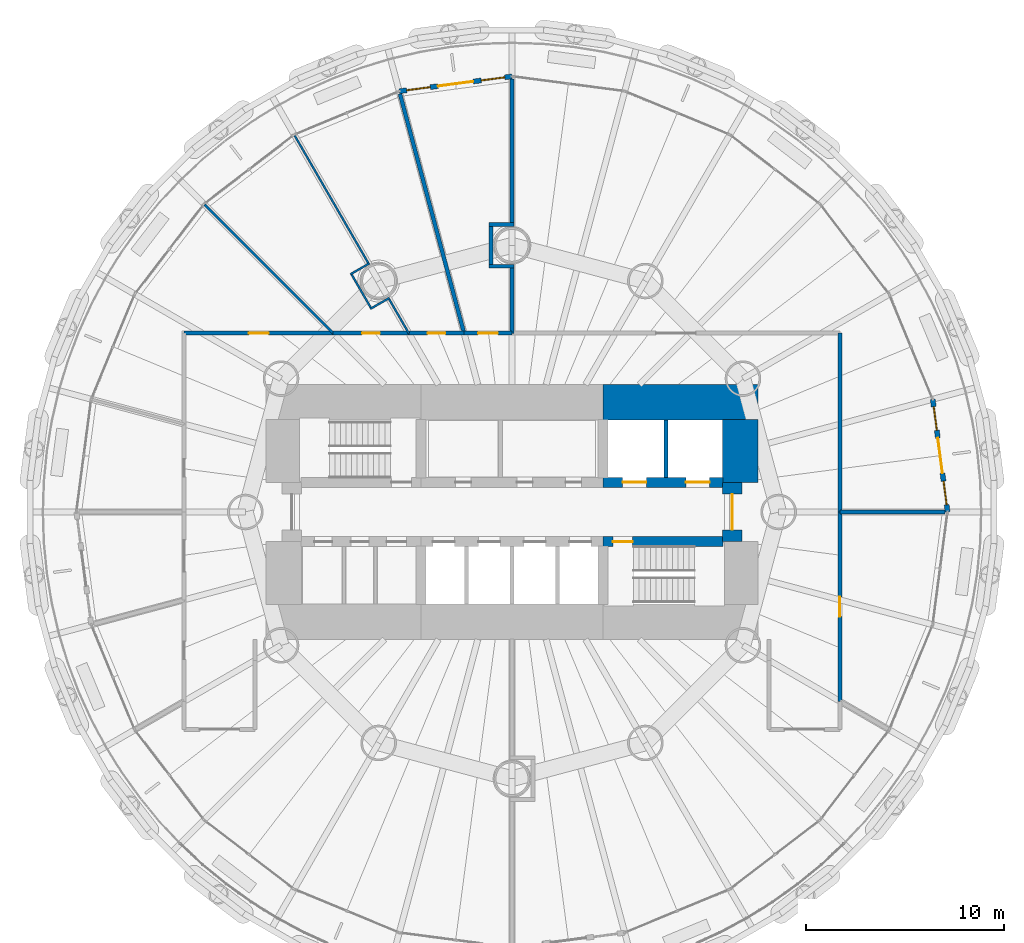
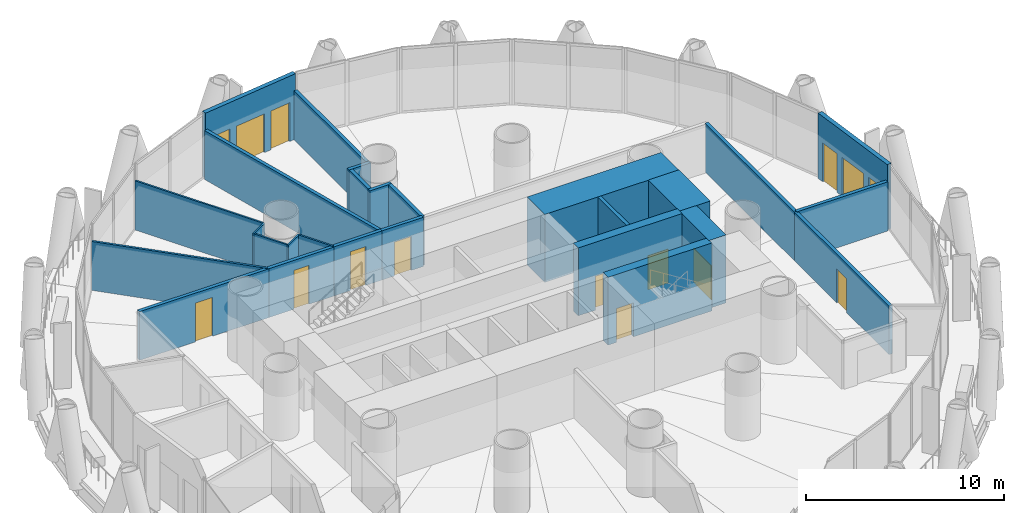
# One storey, part 11 of 16: 27 walls, 11 doors, 4 windows, 15 openings.
"""IFC4 building model written with IfcOpenShell, lengths in metres."""

from ifc_helpers import new_model, si_unit, direction, frame, frame_2d, origin, place, context, subcontext, project, spatial, rectangle, extrude, material, layer, layer_set, type_object, element, fill, save


model = new_model("IFC4")

# Units and contexts
model_context = context("Model", 3, precision=1e-05, world=origin(), true_north=direction((0.0, 1.0)))
body_context = subcontext(model_context, "Body", "Model", "MODEL_VIEW")
ifc_project = project(units=[si_unit("LENGTHUNIT", "METRE"), si_unit("AREAUNIT", "SQUARE_METRE"), si_unit("VOLUMEUNIT", "CUBIC_METRE"), si_unit("PLANEANGLEUNIT", "RADIAN"), si_unit("MASSUNIT", "GRAM", prefix="KILO")], contexts=[model_context])

# Site, building, storey
site_placement = place(None, origin())
site = spatial("IfcSite", under=ifc_project, at=site_placement, CompositionType="ELEMENT")
building_placement = place(site_placement, origin())
building = spatial("IfcBuilding", under=site, at=building_placement, Name="Qaws Media Tower", CompositionType="ELEMENT")
storey_placement = place(building_placement, frame((0.0, 0.0, 181.39990234375)))
storey = spatial("IfcBuildingStorey", under=building, at=storey_placement, Name="L41", CompositionType="ELEMENT", Elevation=181.39990234375)

# Wall, openings, door, windows
ifc_material_1 = material(Name="Precast concrete, exposed finish", Category="concrete")
ifc_layer_1 = layer(ifc_material_1, 0.25)
ifc_layer_set_1 = layer_set([ifc_layer_1], Name="Balcony door wall 250")
wall_type_1 = type_object("IfcWallType", Name="Balcony door wall 250", PredefinedType="SOLIDWALL", material=ifc_layer_set_1)
wall_1_placement = place(storey_placement, frame((82.050048828125, 50.0, 0.0), z_axis=(0.0, 0.0, 1.0), x_axis=(-0.130546671118, 0.991442165061, 0.0)))
wall_1 = element("IfcWall", 1, at=wall_1_placement, inside=storey, type_object=wall_type_1, Name="W128 EW1 balcony door wall L41-01", PredefinedType="SOLIDWALL", context=body_context, shape_type="SweptSolid", body=[
    extrude(rectangle(XDim=5.75634765625, YDim=0.25, at=frame_2d((2.878173828125, 0.0))), origin(), (0.0, 0.0, 1.0), 4.0400390625),
])
opening_1_placement = place(wall_1_placement, frame((1.97802734375, 0.0, 0.0)))
opening_1 = element("IfcOpeningElement", 2, at=opening_1_placement, cuts=wall_1, Name="Opening D7", PredefinedType="OPENING", context=body_context, shape_type="SweptSolid", body=[
    extrude(rectangle(XDim=1.800048828125, YDim=2.39990234375, at=frame_2d((0.89990234375, 1.199951171875))), frame((0.0, 0.135009765625, 0.0), z_axis=(0.0, -1.0, 0.0), x_axis=(1.0, 0.0, 0.0)), (0.0, 0.0, 1.0), 0.27001953125),
])
opening_2_placement = place(wall_1_placement, frame((0.378173828125, 0.0, 0.0)))
opening_2 = element("IfcOpeningElement", 3, at=opening_2_placement, cuts=wall_1, Name="Opening W1", PredefinedType="OPENING", context=body_context, shape_type="SweptSolid", body=[
    extrude(rectangle(XDim=1.199951171875, YDim=2.39990234375, at=frame_2d((0.60009765625, 1.199951171875))), frame((0.0, 0.135009765625, 0.0), z_axis=(0.0, -1.0, 0.0), x_axis=(1.0, 0.0, 0.0)), (0.0, 0.0, 1.0), 0.27001953125),
])
opening_3_placement = place(wall_1_placement, frame((4.17822265625, 0.0, 0.0)))
opening_3 = element("IfcOpeningElement", 4, at=opening_3_placement, cuts=wall_1, Name="Opening W1", PredefinedType="OPENING", context=body_context, shape_type="SweptSolid", body=[
    extrude(rectangle(XDim=1.199951171875, YDim=2.39990234375, at=frame_2d((0.60009765625, 1.199951171875))), frame((0.0, 0.135009765625, 0.0), z_axis=(0.0, -1.0, 0.0), x_axis=(1.0, 0.0, 0.0)), (0.0, 0.0, 1.0), 0.27001953125),
])
ifc_material_2 = material(Name="Aluminium and clear glass", Category="aluminium")
door_type_1 = type_object("IfcDoorType", Name="Balcony door pair 1800", OperationType="DOUBLE_DOOR_SLIDING", PredefinedType="DOOR", material=ifc_material_2)
door_1_placement = place(opening_1_placement, origin())
door_1 = element("IfcDoor", 5, at=door_1_placement, inside=storey, type_object=door_type_1, Name="D7 balcony door L41-01 in wall W128", OperationType="DOUBLE_DOOR_SLIDING", OverallHeight=2.39990234375, OverallWidth=1.800048828125, PredefinedType="DOOR", context=body_context, shape_type="SweptSolid", body=[
    extrude(rectangle(XDim=1.800048828125, YDim=2.39990234375, at=frame_2d((0.89990234375, 1.199951171875))), frame((0.0, 0.02490234375, 0.0), z_axis=(0.0, -1.0, 0.0), x_axis=(1.0, 0.0, 0.0)), (0.0, 0.0, 1.0), 0.050048828125),
])
fill(opening_1, door_1)
ifc_material_3 = material(Name="Aluminium and clear glass", Category="aluminium")
window_type = type_object("IfcWindowType", Name="Balcony side window 1200", PartitioningType="SINGLE_PANEL", PredefinedType="WINDOW", material=ifc_material_3)
window_1_placement = place(opening_2_placement, origin())
window_1 = element("IfcWindow", 6, at=window_1_placement, inside=storey, type_object=window_type, Name="W1 balcony side light L41-01L", OverallHeight=2.39990234375, OverallWidth=1.199951171875, PartitioningType="SINGLE_PANEL", PredefinedType="WINDOW", context=body_context, shape_type="SweptSolid", body=[
    extrude(rectangle(XDim=1.199951171875, YDim=2.39990234375, at=frame_2d((0.60009765625, 1.199951171875))), frame((0.0, 0.030029296875, 0.0), z_axis=(0.0, -1.0, 0.0), x_axis=(1.0, 0.0, 0.0)), (0.0, 0.0, 1.0), 0.06005859375),
])
fill(opening_2, window_1)
window_2_placement = place(opening_3_placement, origin())
window_2 = element("IfcWindow", 7, at=window_2_placement, inside=storey, type_object=window_type, Name="W1 balcony side light L41-01R", OverallHeight=2.39990234375, OverallWidth=1.199951171875, PartitioningType="SINGLE_PANEL", PredefinedType="WINDOW", context=body_context, shape_type="SweptSolid", body=[
    extrude(rectangle(XDim=1.199951171875, YDim=2.39990234375, at=frame_2d((0.60009765625, 1.199951171875))), frame((0.0, 0.030029296875, 0.0), z_axis=(0.0, -1.0, 0.0), x_axis=(1.0, 0.0, 0.0)), (0.0, 0.0, 1.0), 0.06005859375),
])
fill(opening_3, window_2)

wall_2_placement = place(storey_placement, frame((60.0, 72.050048828125, 0.0), z_axis=(0.0, 0.0, 1.0), x_axis=(-0.991442165061, -0.130546671118, 0.0)))
wall_2 = element("IfcWall", 8, at=wall_2_placement, inside=storey, type_object=wall_type_1, Name="W222 EW1 balcony door wall L41-07", PredefinedType="SOLIDWALL", context=body_context, shape_type="SweptSolid", body=[
    extrude(rectangle(XDim=5.75634765625, YDim=0.25, at=frame_2d((2.878173828125, 0.0))), origin(), (0.0, 0.0, 1.0), 4.0400390625),
])
opening_4_placement = place(wall_2_placement, frame((1.97802734375, 0.0, 0.0)))
opening_4 = element("IfcOpeningElement", 9, at=opening_4_placement, cuts=wall_2, Name="Opening D7", PredefinedType="OPENING", context=body_context, shape_type="SweptSolid", body=[
    extrude(rectangle(XDim=1.800048828125, YDim=2.39990234375, at=frame_2d((0.89990234375, 1.199951171875))), frame((0.0, 0.135009765625, 0.0), z_axis=(0.0, -1.0, 0.0), x_axis=(1.0, 0.0, 0.0)), (0.0, 0.0, 1.0), 0.27001953125),
])
opening_5_placement = place(wall_2_placement, frame((0.378173828125, 0.0, 0.0)))
opening_5 = element("IfcOpeningElement", 10, at=opening_5_placement, cuts=wall_2, Name="Opening W1", PredefinedType="OPENING", context=body_context, shape_type="SweptSolid", body=[
    extrude(rectangle(XDim=1.199951171875, YDim=2.39990234375, at=frame_2d((0.60009765625, 1.199951171875))), frame((0.0, 0.135009765625, 0.0), z_axis=(0.0, -1.0, 0.0), x_axis=(1.0, 0.0, 0.0)), (0.0, 0.0, 1.0), 0.27001953125),
])
opening_6_placement = place(wall_2_placement, frame((4.17822265625, 0.0, 0.0)))
opening_6 = element("IfcOpeningElement", 11, at=opening_6_placement, cuts=wall_2, Name="Opening W1", PredefinedType="OPENING", context=body_context, shape_type="SweptSolid", body=[
    extrude(rectangle(XDim=1.199951171875, YDim=2.39990234375, at=frame_2d((0.60009765625, 1.199951171875))), frame((0.0, 0.135009765625, 0.0), z_axis=(0.0, -1.0, 0.0), x_axis=(1.0, 0.0, 0.0)), (0.0, 0.0, 1.0), 0.27001953125),
])
door_2_placement = place(opening_4_placement, origin())
door_2 = element("IfcDoor", 12, at=door_2_placement, inside=storey, type_object=door_type_1, Name="D7 balcony door L41-07 in wall W222", OperationType="DOUBLE_DOOR_SLIDING", OverallHeight=2.39990234375, OverallWidth=1.800048828125, PredefinedType="DOOR", context=body_context, shape_type="SweptSolid", body=[
    extrude(rectangle(XDim=1.800048828125, YDim=2.39990234375, at=frame_2d((0.89990234375, 1.199951171875))), frame((0.0, 0.02490234375, 0.0), z_axis=(0.0, -1.0, 0.0), x_axis=(1.0, 0.0, 0.0)), (0.0, 0.0, 1.0), 0.050048828125),
])
fill(opening_4, door_2)
window_3_placement = place(opening_5_placement, origin())
window_3 = element("IfcWindow", 13, at=window_3_placement, inside=storey, type_object=window_type, Name="W1 balcony side light L41-07L", OverallHeight=2.39990234375, OverallWidth=1.199951171875, PartitioningType="SINGLE_PANEL", PredefinedType="WINDOW", context=body_context, shape_type="SweptSolid", body=[
    extrude(rectangle(XDim=1.199951171875, YDim=2.39990234375, at=frame_2d((0.60009765625, 1.199951171875))), frame((0.0, 0.030029296875, 0.0), z_axis=(0.0, -1.0, 0.0), x_axis=(1.0, 0.0, 0.0)), (0.0, 0.0, 1.0), 0.06005859375),
])
fill(opening_5, window_3)
window_4_placement = place(opening_6_placement, origin())
window_4 = element("IfcWindow", 14, at=window_4_placement, inside=storey, type_object=window_type, Name="W1 balcony side light L41-07R", OverallHeight=2.39990234375, OverallWidth=1.199951171875, PartitioningType="SINGLE_PANEL", PredefinedType="WINDOW", context=body_context, shape_type="SweptSolid", body=[
    extrude(rectangle(XDim=1.199951171875, YDim=2.39990234375, at=frame_2d((0.60009765625, 1.199951171875))), frame((0.0, 0.030029296875, 0.0), z_axis=(0.0, -1.0, 0.0), x_axis=(1.0, 0.0, 0.0)), (0.0, 0.0, 1.0), 0.06005859375),
])
fill(opening_6, window_4)

# Wall, openings, doors
ifc_material_4 = material(Name="Concrete C60/75", Category="concrete")
ifc_layer_2 = layer(ifc_material_4, 0.5)
ifc_layer_set_2 = layer_set([ifc_layer_2], Name="Core inner wall 500")
wall_type_2 = type_object("IfcWallType", Name="Core inner wall 500", PredefinedType="SHEAR", material=ifc_layer_set_2)
wall_3_placement = place(storey_placement, frame((64.60009765625, 51.5, 0.0), z_axis=(0.0, 0.0, 1.0), x_axis=(1.0, 0.0, 0.0)))
wall_3 = element("IfcWall", 15, at=wall_3_placement, inside=storey, type_object=wall_type_2, Name="W344 SW12 core wall SPNE L41", PredefinedType="SHEAR", context=body_context, shape_type="SweptSolid", body=[
    extrude(rectangle(XDim=6.06982421875, YDim=0.5, at=frame_2d((3.034912109375, 0.0))), origin(), (0.0, 0.0, 1.0), 4.2001953125),
])
opening_7_placement = place(wall_3_placement, frame((1.0, 0.0, 0.0)))
opening_7 = element("IfcOpeningElement", 16, at=opening_7_placement, cuts=wall_3, Name="Opening LD2", PredefinedType="OPENING", context=body_context, shape_type="SweptSolid", body=[
    extrude(rectangle(XDim=1.199951171875, YDim=2.10009765625, at=frame_2d((0.60009765625, 1.050048828125))), frame((0.0, 0.260009765625, 0.0), z_axis=(0.0, -1.0, 0.0), x_axis=(1.0, 0.0, 0.0)), (0.0, 0.0, 1.0), 0.52001953125),
])
opening_8_placement = place(wall_3_placement, frame((4.199951171875, 0.0, 0.0)))
opening_8 = element("IfcOpeningElement", 17, at=opening_8_placement, cuts=wall_3, Name="Opening LD2", PredefinedType="OPENING", context=body_context, shape_type="SweptSolid", body=[
    extrude(rectangle(XDim=1.199951171875, YDim=2.10009765625, at=frame_2d((0.60009765625, 1.050048828125))), frame((0.0, 0.260009765625, 0.0), z_axis=(0.0, -1.0, 0.0), x_axis=(1.0, 0.0, 0.0)), (0.0, 0.0, 1.0), 0.52001953125),
])
ifc_material_5 = material(Name="Steel, fire rated", Category="steel")
door_type_2 = type_object("IfcDoorType", Name="Lift landing door 1200", OperationType="SLIDING_TO_LEFT", PredefinedType="DOOR", material=ifc_material_5)
door_3_placement = place(opening_7_placement, origin())
door_3 = element("IfcDoor", 18, at=door_3_placement, inside=storey, type_object=door_type_2, Name="FL1 landing door L41 in wall W344", OperationType="SLIDING_TO_LEFT", OverallHeight=2.10009765625, OverallWidth=1.199951171875, PredefinedType="DOOR", context=body_context, shape_type="SweptSolid", body=[
    extrude(rectangle(XDim=1.199951171875, YDim=2.10009765625, at=frame_2d((0.60009765625, 1.050048828125))), frame((0.0, 0.02490234375, 0.0), z_axis=(0.0, -1.0, 0.0), x_axis=(1.0, 0.0, 0.0)), (0.0, 0.0, 1.0), 0.050048828125),
])
fill(opening_7, door_3)
door_4_placement = place(opening_8_placement, origin())
door_4 = element("IfcDoor", 19, at=door_4_placement, inside=storey, type_object=door_type_2, Name="FL2 landing door L41 in wall W344", OperationType="SLIDING_TO_LEFT", OverallHeight=2.10009765625, OverallWidth=1.199951171875, PredefinedType="DOOR", context=body_context, shape_type="SweptSolid", body=[
    extrude(rectangle(XDim=1.199951171875, YDim=2.10009765625, at=frame_2d((0.60009765625, 1.050048828125))), frame((0.0, 0.02490234375, 0.0), z_axis=(0.0, -1.0, 0.0), x_axis=(1.0, 0.0, 0.0)), (0.0, 0.0, 1.0), 0.050048828125),
])
fill(opening_8, door_4)

# Wall, opening, door
wall_4_placement = place(storey_placement, frame((64.60009765625, 48.5, 0.0), z_axis=(0.0, 0.0, 1.0), x_axis=(1.0, 0.0, 0.0)))
wall_4 = element("IfcWall", 20, at=wall_4_placement, inside=storey, type_object=wall_type_2, Name="W343 SW12 core wall SPSE L41", PredefinedType="SHEAR", context=body_context, shape_type="SweptSolid", body=[
    extrude(rectangle(XDim=6.06982421875, YDim=0.5, at=frame_2d((3.034912109375, 0.0))), origin(), (0.0, 0.0, 1.0), 4.2001953125),
])
opening_9_placement = place(wall_4_placement, frame((0.5, 0.0, 0.0)))
opening_9 = element("IfcOpeningElement", 21, at=opening_9_placement, cuts=wall_4, Name="Opening D1", PredefinedType="OPENING", context=body_context, shape_type="SweptSolid", body=[
    extrude(rectangle(XDim=1.0, YDim=2.10009765625, at=frame_2d((0.5, 1.050048828125))), frame((0.0, 0.260009765625, 0.0), z_axis=(0.0, -1.0, 0.0), x_axis=(1.0, 0.0, 0.0)), (0.0, 0.0, 1.0), 0.52001953125),
])
ifc_material_6 = material(Name="Steel, fire rated", Category="steel")
door_type_3 = type_object("IfcDoorType", Name="Stair door 1000 FD120", OperationType="SINGLE_SWING_LEFT", PredefinedType="DOOR", material=ifc_material_6)
door_5_placement = place(opening_9_placement, origin())
door_5 = element("IfcDoor", 22, at=door_5_placement, inside=storey, type_object=door_type_3, Name="D1 stair S2 door L41 in wall W343", OperationType="SINGLE_SWING_LEFT", OverallHeight=2.10009765625, OverallWidth=1.0, PredefinedType="DOOR", context=body_context, shape_type="SweptSolid", body=[
    extrude(rectangle(XDim=1.0, YDim=2.10009765625, at=frame_2d((0.5, 1.050048828125))), frame((0.0, 0.02490234375, 0.0), z_axis=(0.0, -1.0, 0.0), x_axis=(1.0, 0.0, 0.0)), (0.0, 0.0, 1.0), 0.050048828125),
])
fill(opening_9, door_5)

ifc_material_7 = material(Name="Concrete C60/75", Category="concrete")
ifc_layer_3 = layer(ifc_material_7, 1.0)
ifc_layer_set_3 = layer_set([ifc_layer_3], Name="Core wall 1000")
wall_type_3 = type_object("IfcWallType", Name="Core wall 1000", PredefinedType="SHEAR", material=ifc_layer_set_3)
wall_5_placement = place(storey_placement, frame((71.14990234375, 48.5, 0.0), z_axis=(0.0, 0.0, 1.0), x_axis=(0.0, 1.0, 0.0)))
wall_5 = element("IfcWall", 23, at=wall_5_placement, inside=storey, type_object=wall_type_3, Name="W367 SW8 core wall E L41", PredefinedType="SHEAR", context=body_context, shape_type="SweptSolid", body=[
    extrude(rectangle(XDim=3.0, YDim=1.0, at=frame_2d((1.5, 0.0))), origin(), (0.0, 0.0, 1.0), 4.2001953125),
])
opening_10_placement = place(wall_5_placement, frame((0.60009765625, 0.0, 0.0)))
opening_10 = element("IfcOpeningElement", 24, at=opening_10_placement, cuts=wall_5, Name="Opening D2", PredefinedType="OPENING", context=body_context, shape_type="SweptSolid", body=[
    extrude(rectangle(XDim=1.800048828125, YDim=2.10009765625, at=frame_2d((0.89990234375, 1.050048828125))), frame((0.0, 0.510009765625, 0.0), z_axis=(0.0, -1.0, 0.0), x_axis=(1.0, 0.0, 0.0)), (0.0, 0.0, 1.0), 1.02001953125),
])
ifc_material_8 = material(Name="Steel and glass, fire rated", Category="steel")
door_type_4 = type_object("IfcDoorType", Name="Lobby door pair 1800 FD60", OperationType="DOUBLE_DOOR_DOUBLE_SWING", PredefinedType="DOOR", material=ifc_material_8)
door_6_placement = place(opening_10_placement, origin())
door_6 = element("IfcDoor", 25, at=door_6_placement, inside=storey, type_object=door_type_4, Name="D2 core lobby door E L41 in wall W367", OperationType="DOUBLE_DOOR_DOUBLE_SWING", OverallHeight=2.10009765625, OverallWidth=1.800048828125, PredefinedType="DOOR", context=body_context, shape_type="SweptSolid", body=[
    extrude(rectangle(XDim=1.800048828125, YDim=2.10009765625, at=frame_2d((0.89990234375, 1.050048828125))), frame((0.0, 0.02490234375, 0.0), z_axis=(0.0, -1.0, 0.0), x_axis=(1.0, 0.0, 0.0)), (0.0, 0.0, 1.0), 0.050048828125),
])
fill(opening_10, door_6)

# Walls
ifc_material_9 = material(Name="Concrete C60/75", Category="concrete")
ifc_layer_4 = layer(ifc_material_9, 1.800048828125)
ifc_layer_set_4 = layer_set([ifc_layer_4], Name="Core wall 1800")
wall_type_4 = type_object("IfcWallType", Name="Core wall 1800", PredefinedType="SHEAR", material=ifc_layer_set_4)
wall_6_placement = place(storey_placement, frame((64.60009765625, 55.550048828125, 0.0), z_axis=(0.0, 0.0, 1.0), x_axis=(1.0, 0.0, 0.0)))
element("IfcWall", 26, at=wall_6_placement, inside=storey, type_object=wall_type_4, Name="W423 SW11 core wall NE L41", PredefinedType="SHEAR", context=body_context, shape_type="SweptSolid", body=[
    extrude(rectangle(XDim=7.849853515625, YDim=1.800048828125, at=frame_2d((3.9248046875, 0.0))), origin(), (0.0, 0.0, 1.0), 4.2001953125),
])
wall_7_placement = place(storey_placement, frame((71.550048828125, 51.5, 0.0), z_axis=(0.0, 0.0, 1.0), x_axis=(0.0, 1.0, 0.0)))
element("IfcWall", 27, at=wall_7_placement, inside=storey, type_object=wall_type_4, Name="W425 SW11 core wall EN L41", PredefinedType="SHEAR", context=body_context, shape_type="SweptSolid", body=[
    extrude(rectangle(XDim=3.169921875, YDim=1.800048828125, at=frame_2d((1.5849609375, 0.0))), origin(), (0.0, 0.0, 1.0), 4.2001953125),
])
ifc_material_10 = material(Name="Two layers gypsum board each side on 75 studs, insulated", Category="gypsum")
ifc_layer_5 = layer(ifc_material_10, 0.125)
ifc_layer_set_5 = layer_set([ifc_layer_5], Name="Meeting room partition 125 Rw 48")
wall_type_5 = type_object("IfcWallType", Name="Meeting room partition 125 Rw 48", PredefinedType="PARTITIONING", material=ifc_layer_set_5)
wall_8_placement = place(storey_placement, frame((50.948974609375, 59.051025390625, 0.0), z_axis=(0.0, 0.0, 1.0), x_axis=(-0.707106781187, 0.707106781187, 0.0)))
element("IfcWall", 28, at=wall_8_placement, inside=storey, type_object=wall_type_5, Name="W589 IW5 partition L41", PredefinedType="PARTITIONING", context=body_context, shape_type="SweptSolid", body=[
    extrude(rectangle(XDim=9.2099609375, YDim=0.125, at=frame_2d((4.60498046875, 0.0))), origin(), (0.0, 0.0, 1.0), 3.02001953125),
])
ifc_material_11 = material(Name="Gypsum board on 70 metal studs, single layer each side", Category="gypsum")
ifc_layer_6 = layer(ifc_material_11, 0.10009765625)
ifc_layer_set_6 = layer_set([ifc_layer_6], Name="Office stud partition 100")
wall_type_6 = type_object("IfcWallType", Name="Office stud partition 100", PredefinedType="PARTITIONING", material=ifc_layer_set_6)
for number, where, z_axis, x_axis, name in (
    (29, (53.79833984375, 60.841796875, 0.0), (0.0, 0.0, 1.0), (-0.866007717299, -0.500030632641, 0.0), "W691 IW4 partition return L41"),
    (30, (52.788330078125, 62.591064453125, 0.0), (0.0, 0.0, 1.0), (-0.866007717299, -0.500030632641, 0.0), "W689 IW4 partition return L41"),
):
    element("IfcWall", number, at=place(storey_placement, frame(where, z_axis=z_axis, x_axis=x_axis)), inside=storey, type_object=wall_type_6, Name=name, PredefinedType="PARTITIONING", context=body_context, shape_type="SweptSolid", body=[
        extrude(rectangle(XDim=1.1201171875, YDim=0.10009765625, at=frame_2d((0.56005859375, 0.0))), origin(), (0.0, 0.0, 1.0), 3.02001953125),
    ])
wall_9_placement = place(storey_placement, frame((52.8466796875, 60.35009765625, 0.0), z_axis=(0.0, 0.0, 1.0), x_axis=(-0.500023335103, 0.866011930837, 0.0)))
element("IfcWall", 31, at=wall_9_placement, inside=storey, type_object=wall_type_6, Name="W690 IW4 partition return L41", PredefinedType="PARTITIONING", context=body_context, shape_type="SweptSolid", body=[
    extrude(rectangle(XDim=1.919921875, YDim=0.10009765625, at=frame_2d((0.9599609375, 0.0))), origin(), (0.0, 0.0, 1.0), 3.02001953125),
])
wall_10_placement = place(storey_placement, frame((54.780029296875, 59.041259765625, 0.0), z_axis=(0.0, 0.0, 1.0), x_axis=(-0.499972520799, 0.866041268327, 0.0)))
element("IfcWall", 32, at=wall_10_placement, inside=storey, type_object=wall_type_6, Name="W692 IW4 partition L41", PredefinedType="PARTITIONING", context=body_context, shape_type="SweptSolid", body=[
    extrude(rectangle(XDim=2.0, YDim=0.10009765625, at=frame_2d((1.0, 0.0))), origin(), (0.0, 0.0, 1.0), 3.0400390625),
])
wall_11_placement = place(storey_placement, frame((52.719970703125, 62.609375, 0.0), z_axis=(0.0, 0.0, 1.0), x_axis=(-0.499984378957, 0.86603442241, 0.0)))
element("IfcWall", 33, at=wall_11_placement, inside=storey, type_object=wall_type_6, Name="W688 IW4 partition L41", PredefinedType="PARTITIONING", context=body_context, shape_type="SweptSolid", body=[
    extrude(rectangle(XDim=7.449951171875, YDim=0.10009765625, at=frame_2d((3.72509765625, 0.0))), origin(), (0.0, 0.0, 1.0), 3.0400390625),
])

# Wall, opening, door
ifc_material_12 = material(Name="Gypsum board on galvanised metal studs, acoustic double stud, deflection head", Category="gypsum")
ifc_layer_7 = layer(ifc_material_12, 0.199951171875)
ifc_layer_set_7 = layer_set([ifc_layer_7], Name="Room partition 200")
wall_type_7 = type_object("IfcWallType", Name="Room partition 200", PredefinedType="PARTITIONING", material=ifc_layer_set_7)
wall_12_placement = place(storey_placement, frame((43.39990234375, 59.050048828125, 0.0), z_axis=(0.0, 0.0, 1.0), x_axis=(1.0, 0.0, 0.0)))
wall_12 = element("IfcWall", 34, at=wall_12_placement, inside=storey, type_object=wall_type_7, Name="W1390 IW3 partition L41", PredefinedType="PARTITIONING", context=body_context, shape_type="SweptSolid", body=[
    extrude(rectangle(XDim=7.550048828125, YDim=0.199951171875, at=frame_2d((3.77490234375, 0.0))), origin(), (0.0, 0.0, 1.0), 3.01220703125),
])
opening_11_placement = place(wall_12_placement, frame((3.27490234375, 0.0, 0.0)))
opening_11 = element("IfcOpeningElement", 35, at=opening_11_placement, cuts=wall_12, Name="Opening D13", PredefinedType="OPENING", context=body_context, shape_type="SweptSolid", body=[
    extrude(rectangle(XDim=1.0, YDim=2.39990234375, at=frame_2d((0.5, 1.199951171875))), frame((0.0, 0.10986328125, 0.0), z_axis=(0.0, -1.0, 0.0), x_axis=(1.0, 0.0, 0.0)), (0.0, 0.0, 1.0), 0.219970703125),
])
ifc_material_13 = material(Name="Frameless toughened glass, acoustic seals", Category="glass")
door_type_5 = type_object("IfcDoorType", Name="Glazed meeting room door 1000x2400", OperationType="SINGLE_SWING_LEFT", PredefinedType="DOOR", material=ifc_material_13)
door_7_placement = place(opening_11_placement, origin())
door_7 = element("IfcDoor", 36, at=door_7_placement, inside=storey, type_object=door_type_5, Name="D13 Meeting room door L41 in wall W1390", OperationType="SINGLE_SWING_LEFT", OverallHeight=2.39990234375, OverallWidth=1.0, PredefinedType="DOOR", context=body_context, shape_type="SweptSolid", body=[
    extrude(rectangle(XDim=1.0, YDim=2.39990234375, at=frame_2d((0.5, 1.199951171875))), frame((0.0, 0.02490234375, 0.0), z_axis=(0.0, -1.0, 0.0), x_axis=(1.0, 0.0, 0.0)), (0.0, 0.0, 1.0), 0.050048828125),
])
fill(opening_11, door_7)

wall_13_placement = place(storey_placement, frame((50.949951171875, 59.050048828125, 0.0), z_axis=(0.0, 0.0, 1.0), x_axis=(1.0, 0.0, 0.0)))
wall_13 = element("IfcWall", 37, at=wall_13_placement, inside=storey, type_object=wall_type_7, Name="W1281 IW3 partition L41", PredefinedType="PARTITIONING", context=body_context, shape_type="SweptSolid", body=[
    extrude(rectangle(XDim=3.824951171875, YDim=0.199951171875, at=frame_2d((1.91259765625, 0.0))), origin(), (0.0, 0.0, 1.0), 3.02001953125),
])
opening_12_placement = place(wall_13_placement, frame((1.46240234375, 0.0, 0.0)))
opening_12 = element("IfcOpeningElement", 38, at=opening_12_placement, cuts=wall_13, Name="Opening D12", PredefinedType="OPENING", context=body_context, shape_type="SweptSolid", body=[
    extrude(rectangle(XDim=0.89990234375, YDim=2.39990234375, at=frame_2d((0.449951171875, 1.199951171875))), frame((0.0, 0.10986328125, 0.0), z_axis=(0.0, -1.0, 0.0), x_axis=(1.0, 0.0, 0.0)), (0.0, 0.0, 1.0), 0.219970703125),
])
ifc_material_14 = material(Name="Timber veneered, full height", Category="wood")
door_type_6 = type_object("IfcDoorType", Name="Office door 900x2400", OperationType="SINGLE_SWING_LEFT", PredefinedType="DOOR", material=ifc_material_14)
door_8_placement = place(opening_12_placement, origin())
door_8 = element("IfcDoor", 39, at=door_8_placement, inside=storey, type_object=door_type_6, Name="D12 Office door L41 in wall W1281", OperationType="SINGLE_SWING_LEFT", OverallHeight=2.39990234375, OverallWidth=0.89990234375, PredefinedType="DOOR", context=body_context, shape_type="SweptSolid", body=[
    extrude(rectangle(XDim=0.89990234375, YDim=2.39990234375, at=frame_2d((0.449951171875, 1.199951171875))), frame((0.0, 0.02490234375, 0.0), z_axis=(0.0, -1.0, 0.0), x_axis=(1.0, 0.0, 0.0)), (0.0, 0.0, 1.0), 0.050048828125),
])
fill(opening_12, door_8)

wall_14_placement = place(storey_placement, frame((54.77490234375, 59.050048828125, 0.0), z_axis=(0.0, 0.0, 1.0), x_axis=(1.0, 0.0, 0.0)))
wall_14 = element("IfcWall", 40, at=wall_14_placement, inside=storey, type_object=wall_type_7, Name="W1282 IW3 partition L41", PredefinedType="PARTITIONING", context=body_context, shape_type="SweptSolid", body=[
    extrude(rectangle(XDim=2.80029296875, YDim=0.199951171875, at=frame_2d((1.400146484375, 0.0))), origin(), (0.0, 0.0, 1.0), 3.0400390625),
])
opening_13_placement = place(wall_14_placement, frame((0.949951171875, 0.0, 0.0)))
opening_13 = element("IfcOpeningElement", 41, at=opening_13_placement, cuts=wall_14, Name="Opening D12", PredefinedType="OPENING", context=body_context, shape_type="SweptSolid", body=[
    extrude(rectangle(XDim=0.89990234375, YDim=2.39990234375, at=frame_2d((0.449951171875, 1.199951171875))), frame((0.0, 0.10986328125, 0.0), z_axis=(0.0, -1.0, 0.0), x_axis=(1.0, 0.0, 0.0)), (0.0, 0.0, 1.0), 0.219970703125),
])
door_9_placement = place(opening_13_placement, origin())
door_9 = element("IfcDoor", 42, at=door_9_placement, inside=storey, type_object=door_type_6, Name="D12 Office door L41 in wall W1282", OperationType="SINGLE_SWING_LEFT", OverallHeight=2.39990234375, OverallWidth=0.89990234375, PredefinedType="DOOR", context=body_context, shape_type="SweptSolid", body=[
    extrude(rectangle(XDim=0.89990234375, YDim=2.39990234375, at=frame_2d((0.449951171875, 1.199951171875))), frame((0.0, 0.02490234375, 0.0), z_axis=(0.0, -1.0, 0.0), x_axis=(1.0, 0.0, 0.0)), (0.0, 0.0, 1.0), 0.050048828125),
])
fill(opening_13, door_9)

wall_15_placement = place(storey_placement, frame((57.5751953125, 59.050048828125, 0.0), z_axis=(0.0, 0.0, 1.0), x_axis=(1.0, 0.0, 0.0)))
wall_15 = element("IfcWall", 43, at=wall_15_placement, inside=storey, type_object=wall_type_7, Name="W1283 IW3 partition L41", PredefinedType="PARTITIONING", context=body_context, shape_type="SweptSolid", body=[
    extrude(rectangle(XDim=2.4248046875, YDim=0.199951171875, at=frame_2d((1.21240234375, 0.0))), origin(), (0.0, 0.0, 1.0), 3.0400390625),
])
opening_14_placement = place(wall_15_placement, frame((0.71240234375, 0.0, 0.0)))
opening_14 = element("IfcOpeningElement", 44, at=opening_14_placement, cuts=wall_15, Name="Opening D5", PredefinedType="OPENING", context=body_context, shape_type="SweptSolid", body=[
    extrude(rectangle(XDim=1.0, YDim=2.10009765625, at=frame_2d((0.5, 1.050048828125))), frame((0.0, 0.10986328125, 0.0), z_axis=(0.0, -1.0, 0.0), x_axis=(1.0, 0.0, 0.0)), (0.0, 0.0, 1.0), 0.219970703125),
])
ifc_material_15 = material(Name="Timber veneered, acoustic seal", Category="wood")
door_type_7 = type_object("IfcDoorType", Name="Room door 1000", OperationType="SINGLE_SWING_LEFT", PredefinedType="DOOR", material=ifc_material_15)
door_10_placement = place(opening_14_placement, origin())
door_10 = element("IfcDoor", 45, at=door_10_placement, inside=storey, type_object=door_type_7, Name="D5 Strategy reception door L41 in wall W1283", OperationType="SINGLE_SWING_LEFT", OverallHeight=2.10009765625, OverallWidth=1.0, PredefinedType="DOOR", context=body_context, shape_type="SweptSolid", body=[
    extrude(rectangle(XDim=1.0, YDim=2.10009765625, at=frame_2d((0.5, 1.050048828125))), frame((0.0, 0.02490234375, 0.0), z_axis=(0.0, -1.0, 0.0), x_axis=(1.0, 0.0, 0.0)), (0.0, 0.0, 1.0), 0.050048828125),
])
fill(opening_14, door_10)

# Wall
wall_16_placement = place(storey_placement, frame((76.60009765625, 59.050048828125, 0.0), z_axis=(0.0, 0.0, 1.0), x_axis=(0.0, -1.0, 0.0)))
element("IfcWall", 46, at=wall_16_placement, inside=storey, type_object=wall_type_7, Name="W1403 IW3 partition L41", PredefinedType="PARTITIONING", context=body_context, shape_type="SweptSolid", body=[
    extrude(rectangle(XDim=9.050048828125, YDim=0.199951171875, at=frame_2d((4.52490234375, 0.0))), origin(), (0.0, 0.0, 1.0), 3.01220703125),
])

# Wall, opening, door
wall_17_placement = place(storey_placement, frame((76.60009765625, 50.0, 0.0), z_axis=(0.0, 0.0, 1.0), x_axis=(0.0, -1.0, 0.0)))
wall_17 = element("IfcWall", 47, at=wall_17_placement, inside=storey, type_object=wall_type_7, Name="W1401 IW3 partition L41", PredefinedType="PARTITIONING", context=body_context, shape_type="SweptSolid", body=[
    extrude(rectangle(XDim=9.583984375, YDim=0.199951171875, at=frame_2d((4.7919921875, 0.0))), origin(), (0.0, 0.0, 1.0), 3.01220703125),
])
opening_15_placement = place(wall_17_placement, frame((4.2919921875, 0.0, 0.0)))
opening_15 = element("IfcOpeningElement", 48, at=opening_15_placement, cuts=wall_17, Name="Opening D5", PredefinedType="OPENING", context=body_context, shape_type="SweptSolid", body=[
    extrude(rectangle(XDim=1.0, YDim=2.10009765625, at=frame_2d((0.5, 1.050048828125))), frame((0.0, 0.10986328125, 0.0), z_axis=(0.0, -1.0, 0.0), x_axis=(1.0, 0.0, 0.0)), (0.0, 0.0, 1.0), 0.219970703125),
])
door_11_placement = place(opening_15_placement, origin())
door_11 = element("IfcDoor", 49, at=door_11_placement, inside=storey, type_object=door_type_7, Name="D5 Communications office door L41 in wall W1401", OperationType="SINGLE_SWING_LEFT", OverallHeight=2.10009765625, OverallWidth=1.0, PredefinedType="DOOR", context=body_context, shape_type="SweptSolid", body=[
    extrude(rectangle(XDim=1.0, YDim=2.10009765625, at=frame_2d((0.5, 1.050048828125))), frame((0.0, 0.02490234375, 0.0), z_axis=(0.0, -1.0, 0.0), x_axis=(1.0, 0.0, 0.0)), (0.0, 0.0, 1.0), 0.050048828125),
])
fill(opening_15, door_11)

# Walls
wall_18_placement = place(storey_placement, frame((76.60009765625, 50.0, 0.0), z_axis=(0.0, 0.0, 1.0), x_axis=(1.0, 0.0, 0.0)))
element("IfcWall", 50, at=wall_18_placement, inside=storey, type_object=wall_type_7, Name="W1031 IW3 partition L41", PredefinedType="PARTITIONING", context=body_context, shape_type="SweptSolid", body=[
    extrude(rectangle(XDim=5.309814453125, YDim=0.199951171875, at=frame_2d((2.65478515625, 0.0))), origin(), (0.0, 0.0, 1.0), 3.0400390625),
])
for number, where, z_axis, x_axis, name in (
    (51, (60.10009765625, 62.43994140625, 0.0), (0.0, 0.0, 1.0), (-1.0, 0.0, 0.0), "W1210 IW3 partition return L41"),
    (52, (60.10009765625, 64.56005859375, 0.0), (0.0, 0.0, 1.0), (-1.0, 0.0, 0.0), "W1211 IW3 partition return L41"),
):
    element("IfcWall", number, at=place(storey_placement, frame(where, z_axis=z_axis, x_axis=x_axis)), inside=storey, type_object=wall_type_7, Name=name, PredefinedType="PARTITIONING", context=body_context, shape_type="SweptSolid", body=[
        extrude(rectangle(XDim=1.27001953125, YDim=0.199951171875, at=frame_2d((0.635009765625, 0.0))), origin(), (0.0, 0.0, 1.0), 3.02001953125),
    ])
wall_19_placement = place(storey_placement, frame((58.929931640625, 62.5400390625, 0.0), z_axis=(0.0, 0.0, 1.0), x_axis=(0.0, 1.0, 0.0)))
element("IfcWall", 53, at=wall_19_placement, inside=storey, type_object=wall_type_7, Name="W1206 IW3 partition return L41", PredefinedType="PARTITIONING", context=body_context, shape_type="SweptSolid", body=[
    extrude(rectangle(XDim=1.919921875, YDim=0.199951171875, at=frame_2d((0.9599609375, 0.0))), origin(), (0.0, 0.0, 1.0), 3.02001953125),
])
wall_20_placement = place(storey_placement, frame((60.0, 59.0400390625, 0.0), z_axis=(0.0, 0.0, 1.0), x_axis=(0.0, 1.0, 0.0)))
element("IfcWall", 54, at=wall_20_placement, inside=storey, type_object=wall_type_7, Name="W1422 IW3 partition L41", PredefinedType="PARTITIONING", context=body_context, shape_type="SweptSolid", body=[
    extrude(rectangle(XDim=3.300048828125, YDim=0.199951171875, at=frame_2d((1.64990234375, 0.0))), origin(), (0.0, 0.0, 1.0), 3.0400390625),
])
wall_21_placement = place(storey_placement, frame((60.0, 64.659912109375, 0.0), z_axis=(0.0, 0.0, 1.0), x_axis=(0.0, 1.0, 0.0)))
element("IfcWall", 55, at=wall_21_placement, inside=storey, type_object=wall_type_7, Name="W1423 IW3 partition L41", PredefinedType="PARTITIONING", context=body_context, shape_type="SweptSolid", body=[
    extrude(rectangle(XDim=7.25, YDim=0.199951171875, at=frame_2d((3.625, 0.0))), origin(), (0.0, 0.0, 1.0), 3.0400390625),
])
wall_22_placement = place(storey_placement, frame((57.577392578125, 59.041015625, 0.0), z_axis=(0.0, 0.0, 1.0), x_axis=(-0.258810310166, 0.965928166766, 0.0)))
element("IfcWall", 56, at=wall_22_placement, inside=storey, type_object=wall_type_7, Name="W1417 IW3 partition L41", PredefinedType="PARTITIONING", context=body_context, shape_type="SweptSolid", body=[
    extrude(rectangle(XDim=12.5498046875, YDim=0.199951171875, at=frame_2d((6.27490234375, 0.0))), origin(), (0.0, 0.0, 1.0), 3.02001953125),
])
ifc_material_16 = material(Name="Fire-rated gypsum board shaft wall on galvanised metal studs, deflection head", Category="gypsum")
ifc_layer_8 = layer(ifc_material_16, 0.199951171875)
ifc_layer_set_8 = layer_set([ifc_layer_8], Name="Shaft wall 200")
wall_type_8 = type_object("IfcWallType", Name="Shaft wall 200", PredefinedType="PARTITIONING", material=ifc_layer_set_8)
wall_23_placement = place(storey_placement, frame((67.800048828125, 51.75, 0.0), z_axis=(0.0, 0.0, 1.0), x_axis=(0.0, 1.0, 0.0)))
element("IfcWall", 57, at=wall_23_placement, inside=storey, type_object=wall_type_8, Name="W1859 IW1 shaft wall FL L41", PredefinedType="PARTITIONING", context=body_context, shape_type="SweptSolid", body=[
    extrude(rectangle(XDim=2.89990234375, YDim=0.199951171875, at=frame_2d((1.449951171875, 0.0))), origin(), (0.0, 0.0, 1.0), 4.2001953125),
])

save(model, "model.ifc")
